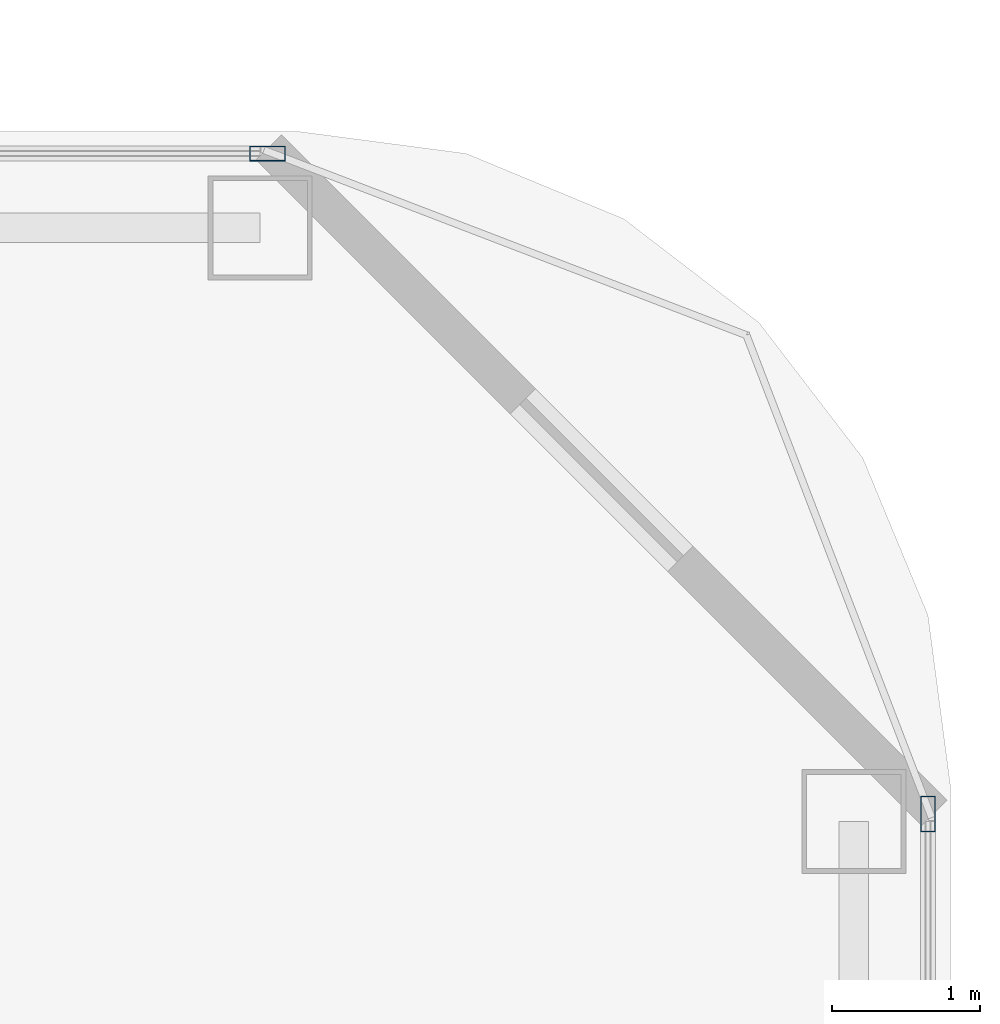
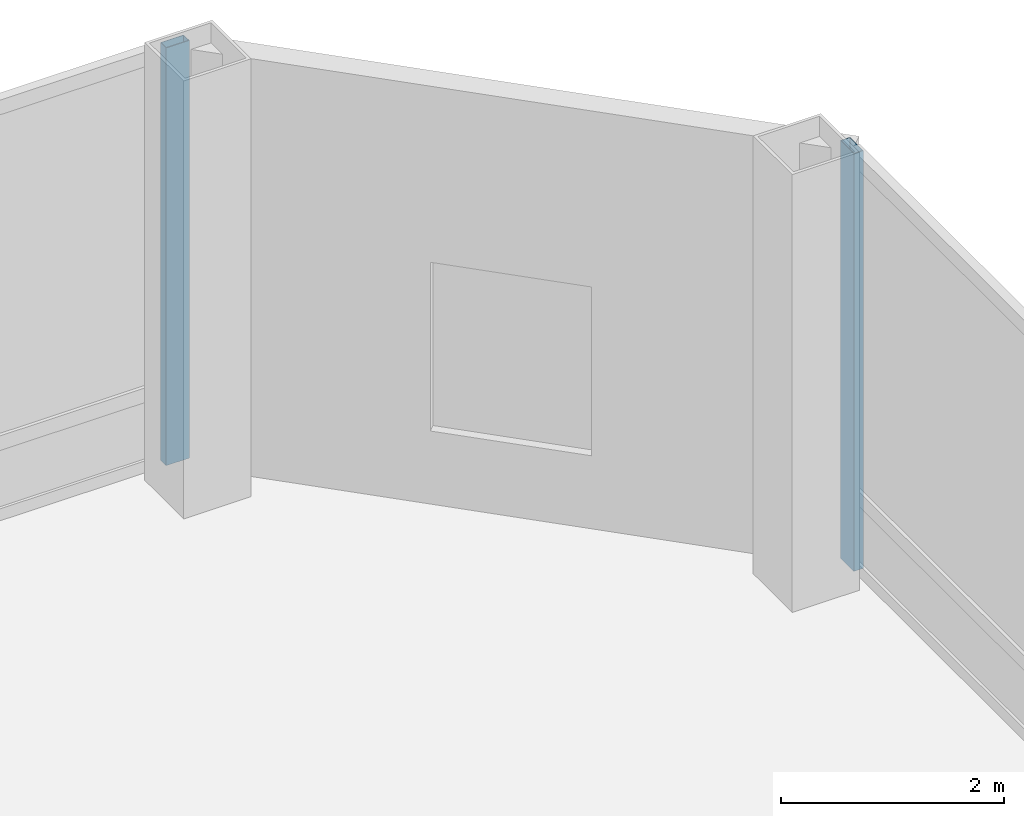
# One storey, part 19 of 28: 2 members, 2 elements without a shape of their own.
"""IFC4 building model written with IfcOpenShell, lengths in metres."""

from ifc_helpers import new_model, si_unit, direction, frame, origin, origin_2d, place, context, subcontext, project, spatial, hollow_rectangle, extrude, material, layer, layer_set, material_profile, profile_set, type_object, element, aggregate, save


model = new_model("IFC4")

# Units and contexts
model_context = context("Model", 3, precision=1e-05, world=origin(), true_north=direction((0.0, 1.0)))
body_context = subcontext(model_context, "Body", "Model", "MODEL_VIEW")
ifc_project = project(units=[si_unit("LENGTHUNIT", "METRE"), si_unit("AREAUNIT", "SQUARE_METRE"), si_unit("VOLUMEUNIT", "CUBIC_METRE"), si_unit("PLANEANGLEUNIT", "RADIAN"), si_unit("MASSUNIT", "GRAM", prefix="KILO")], contexts=[model_context])

# Site, building, storey
site_placement = place(None, origin())
site = spatial("IfcSite", under=ifc_project, at=site_placement, CompositionType="ELEMENT")
building_placement = place(site_placement, origin())
building = spatial("IfcBuilding", under=site, at=building_placement, Name="Khorvyn Point Tower", CompositionType="ELEMENT")
storey_placement = place(building_placement, frame((0.0, 0.0, 108.60009765625)))
storey = spatial("IfcBuildingStorey", under=building, at=storey_placement, Name="L27", CompositionType="ELEMENT", Elevation=108.60009765625)

# Curtain wall, member
ifc_material_1 = material(Name="Anodised aluminium 6063-T6 and laminated Low-E glass", Category="aluminium")
ifc_layer = layer(ifc_material_1, 0.18994140625)
ifc_layer_set = layer_set([ifc_layer], Name="Stick-Built Sky-Lobby Curtain Wall CW-SYS-05")
curtain_wall_type = type_object("IfcCurtainWallType", Name="Stick-Built Sky-Lobby Curtain Wall CW-SYS-05", PredefinedType="NOTDEFINED", material=ifc_layer_set)
curtain_wall_1_placement = place(storey_placement, origin())
curtain_wall_1 = element("IfcCurtainWall", 1, at=curtain_wall_1_placement, inside=storey, type_object=curtain_wall_type, Name="Curtain Wall", PredefinedType="NOTDEFINED")
ifc_material_2 = material(Name="Anodised aluminium 6063-T6", Category="aluminium")
ifc_material_profile = material_profile(ifc_material_2, hollow_rectangle(XDim=0.10009765625, YDim=0.239990234375, WallThickness=0.0048828125, at=origin_2d()))
ifc_profile_set = profile_set([ifc_material_profile], Name="Anodised aluminium 6063-T6 ALU-MUL-100x240")
member_type = type_object("IfcMemberType", Name="Anodised Aluminium 6063-T6 Mullion ALU-MUL-100x240", PredefinedType="MULLION", material=ifc_profile_set)
member_1_placement = place(storey_placement, frame((23.10009765625, 29.449951171875, 0.0), z_axis=(0.0, 0.0, 1.0), x_axis=(0.0, 1.0, 0.0)))
member_1 = element("IfcMember", 2, at=member_1_placement, type_object=member_type, Name="Transom", PredefinedType="MULLION", context=body_context, shape_type="SweptSolid", body=[
    extrude(hollow_rectangle(XDim=0.10009765625, YDim=0.239990234375, WallThickness=0.0048828125, at=origin_2d()), origin(), (0.0, 0.0, 1.0), 4.579833984375),
])
aggregate(curtain_wall_1, [member_1])

curtain_wall_2_placement = place(storey_placement, origin())
curtain_wall_2 = element("IfcCurtainWall", 3, at=curtain_wall_2_placement, inside=storey, type_object=curtain_wall_type, Name="Curtain Wall", PredefinedType="NOTDEFINED")
member_2_placement = place(storey_placement, frame((27.550048828125, 25.0, 0.0), z_axis=(0.0, 0.0, 1.0), x_axis=(1.0, 0.0, 0.0)))
member_2 = element("IfcMember", 4, at=member_2_placement, type_object=member_type, Name="Transom", PredefinedType="MULLION", context=body_context, shape_type="SweptSolid", body=[
    extrude(hollow_rectangle(XDim=0.10009765625, YDim=0.239990234375, WallThickness=0.0048828125, at=origin_2d()), origin(), (0.0, 0.0, 1.0), 4.579833984375),
])
aggregate(curtain_wall_2, [member_2])

save(model, "model.ifc")
